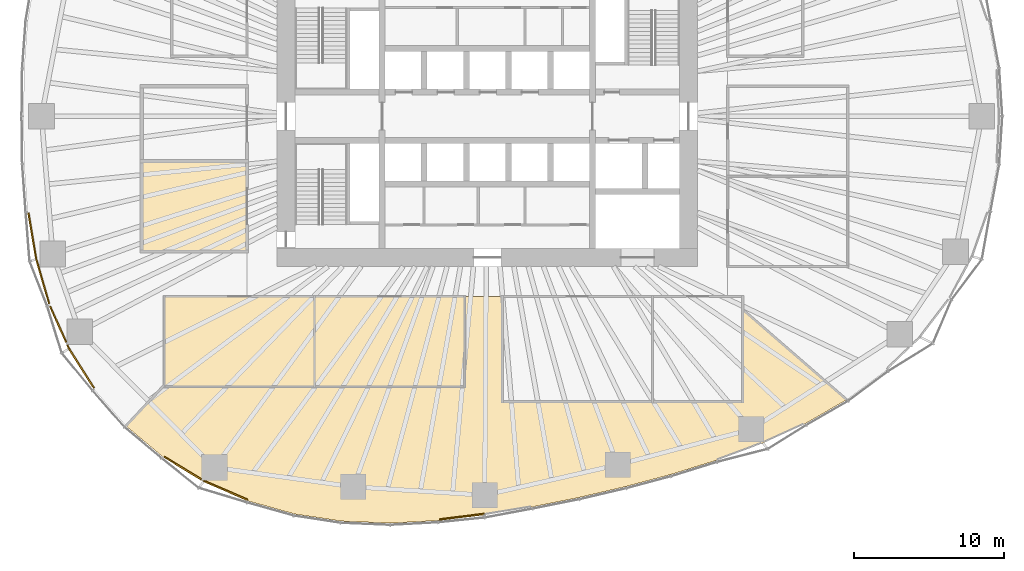
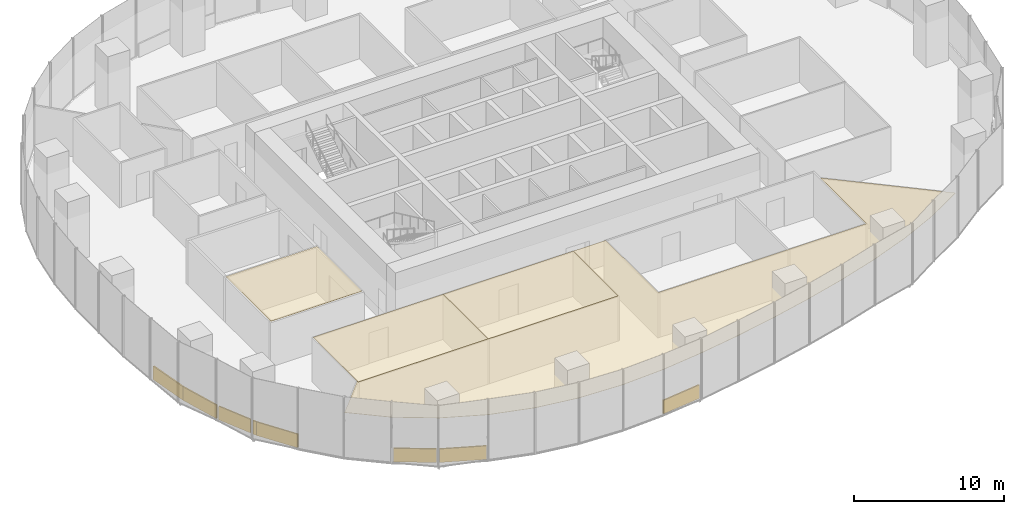
# One storey, part 17 of 20: 12 coverings.
"""IFC4 building model written with IfcOpenShell, lengths in metres."""

from ifc_helpers import new_model, si_unit, direction, frame, origin, origin_2d, place, context, subcontext, project, spatial, polyline, rectangle, outline, extrude, material, layer, layer_set, type_object, element, save


model = new_model("IFC4")

# Units and contexts
model_context = context("Model", 3, precision=1e-05, world=origin(), true_north=direction((0.0, 1.0)))
body_context = subcontext(model_context, "Body", "Model", "MODEL_VIEW")
ifc_project = project(units=[si_unit("LENGTHUNIT", "METRE"), si_unit("AREAUNIT", "SQUARE_METRE"), si_unit("VOLUMEUNIT", "CUBIC_METRE"), si_unit("PLANEANGLEUNIT", "RADIAN"), si_unit("MASSUNIT", "GRAM", prefix="KILO")], contexts=[model_context])

# Site, building, storey
site_placement = place(None, origin())
site = spatial("IfcSite", under=ifc_project, at=site_placement, CompositionType="ELEMENT")
building_placement = place(site_placement, origin())
building = spatial("IfcBuilding", under=site, at=building_placement, Name="Ghaith Harvest Tower", CompositionType="ELEMENT")
storey_placement = place(building_placement, frame((0.0, 0.0, 85.0)))
storey = spatial("IfcBuildingStorey", under=building, at=storey_placement, Name="L17", CompositionType="ELEMENT", Elevation=85.0)

# Coverings
ifc_material_1 = material(Name="Mineral fibre ceiling tile", Category="gypsum")
ifc_layer_1 = layer(ifc_material_1, 0.02490234375)
ifc_layer_set_1 = layer_set([ifc_layer_1], Name="CEILING C2")
covering_type_1 = type_object("IfcCoveringType", Name="CEILING C2", PredefinedType="CEILING", material=ifc_layer_set_1)
covering_1_placement = place(storey_placement, frame((0.0, 0.0, 3.60009765625)))
element("IfcCovering", 1, at=covering_1_placement, inside=storey, type_object=covering_type_1, Name="Ceiling L17-01", PredefinedType="CEILING", context=body_context, shape_type="SweptSolid", body=[
    extrude(outline(polyline([(-21.5, -18.0), (-11.5, -18.0), (-11.5, -12.0), (-21.5, -12.0), (-21.5, -18.0)])), origin(), (0.0, 0.0, 1.0), 0.02490234375),
])
covering_2_placement = place(storey_placement, frame((0.0, 0.0, 3.60009765625)))
element("IfcCovering", 2, at=covering_2_placement, inside=storey, type_object=covering_type_1, Name="Ceiling L17-02", PredefinedType="CEILING", context=body_context, shape_type="SweptSolid", body=[
    extrude(outline(polyline([(-11.5, -18.0), (-1.5, -18.0), (-1.5, -12.0), (-11.5, -12.0), (-11.5, -18.0)])), origin(), (0.0, 0.0, 1.0), 0.02490234375),
])
covering_3_placement = place(storey_placement, frame((0.0, 0.0, 3.60009765625)))
element("IfcCovering", 3, at=covering_3_placement, inside=storey, type_object=covering_type_1, Name="Ceiling L17-11", PredefinedType="CEILING", context=body_context, shape_type="SweptSolid", body=[
    extrude(outline(polyline([(-23.0, -9.0), (-16.0, -9.0), (-16.0, -3.0), (-23.0, -3.0), (-23.0, -9.0)])), origin(), (0.0, 0.0, 1.0), 0.02490234375),
])
covering_4_placement = place(storey_placement, frame((0.0, 0.0, 3.60009765625)))
element("IfcCovering", 4, at=covering_4_placement, inside=storey, type_object=covering_type_1, Name="Ceiling L17-S1", PredefinedType="CEILING", context=body_context, shape_type="SweptSolid", body=[
    extrude(outline(polyline([(-12.828125, -26.476806640625), (-15.907958984375, -25.614501953125), (-18.8935546875, -24.32763671875), (-21.59912109375, -22.671142578125), (-24.04833984375, -20.618408203125), (-21.5, -17.8896484375), (-21.5, -18.0), (-1.5, -18.0), (-1.5, -12.0), (1.0, -12.0), (1.0, -19.0), (17.0, -19.0), (17.0, -12.8671875), (23.92431640625, -18.873046875), (21.149169921875, -20.469482421875), (18.34521484375, -21.7548828125), (15.22119140625, -22.916259765625), (12.1796875, -23.857666015625), (9.21533203125, -24.65087890625), (6.10888671875, -25.378662109375), (2.99560546875, -26.004150390625), (-0.181396484375, -26.527099609375), (-3.24755859375, -26.91064453125), (-6.4375, -27.0849609375), (-9.733642578125, -26.949951171875), (-12.828125, -26.476806640625)])), origin(), (0.0, 0.0, 1.0), 0.02490234375),
])
ifc_material_2 = material(Name="Insulated aluminium spandrel panel on steel framing", Category="steel")
ifc_layer_2 = layer(ifc_material_2, 0.10009765625)
ifc_layer_set_2 = layer_set([ifc_layer_2], Name="SLAB EDGE UPSTAND 1100x100")
covering_type_2 = type_object("IfcCoveringType", Name="SLAB EDGE UPSTAND 1100x100", PredefinedType="CLADDING", material=ifc_layer_set_2)
covering_5_placement = place(storey_placement, frame((-30.28271484375, -7.982177734375, 0.0), z_axis=(0.0, 0.0, 1.0), x_axis=(0.165246181786, -0.986252350773, 0.0)))
element("IfcCovering", 5, at=covering_5_placement, inside=storey, type_object=covering_type_2, Name="Slab edge upstand 3 bay 11 L17", PredefinedType="CLADDING", context=body_context, shape_type="SweptSolid", body=[
    extrude(rectangle(XDim=3.124267578125, YDim=0.10009765625, at=origin_2d()), origin(), (0.0, 0.0, 1.0), 1.10009765625),
])
covering_6_placement = place(storey_placement, frame((-29.593994140625, -10.997314453125, 0.0), z_axis=(0.0, 0.0, 1.0), x_axis=(0.280032411303, -0.95999054611, 0.0)))
element("IfcCovering", 6, at=covering_6_placement, inside=storey, type_object=covering_type_2, Name="Slab edge upstand 1 bay 12 L17", PredefinedType="CLADDING", context=body_context, shape_type="SweptSolid", body=[
    extrude(rectangle(XDim=3.084228515625, YDim=0.10009765625, at=origin_2d()), origin(), (0.0, 0.0, 1.0), 1.10009765625),
])
covering_7_placement = place(storey_placement, frame((-28.56689453125, -13.84619140625, 0.0), z_axis=(0.0, 0.0, 1.0), x_axis=(0.407003427802, -0.913426630747, 0.0)))
element("IfcCovering", 7, at=covering_7_placement, inside=storey, type_object=covering_type_2, Name="Slab edge upstand 2 bay 12 L17", PredefinedType="CLADDING", context=body_context, shape_type="SweptSolid", body=[
    extrude(rectangle(XDim=2.60009765625, YDim=0.10009765625, at=origin_2d()), origin(), (0.0, 0.0, 1.0), 1.10009765625),
])
covering_8_placement = place(storey_placement, frame((-27.89501953125, -15.35400390625, 0.0), z_axis=(0.0, 0.0, 1.0), x_axis=(0.407003427802, -0.913426630747, 0.0)))
element("IfcCovering", 8, at=covering_8_placement, inside=storey, type_object=covering_type_2, Name="Slab edge upstand 2 bay 12 L17", PredefinedType="CLADDING", context=body_context, shape_type="SweptSolid", body=[
    extrude(rectangle(XDim=0.29052734375, YDim=0.10009765625, at=origin_2d()), origin(), (0.0, 0.0, 1.0), 1.10009765625),
])
covering_9_placement = place(storey_placement, frame((-27.0078125, -16.787353515625, 0.0), z_axis=(0.0, 0.0, 1.0), x_axis=(0.536807372204, -0.843704832952, 0.0)))
element("IfcCovering", 9, at=covering_9_placement, inside=storey, type_object=covering_type_2, Name="Slab edge upstand 3 bay 12 L17", PredefinedType="CLADDING", context=body_context, shape_type="SweptSolid", body=[
    extrude(rectangle(XDim=3.098388671875, YDim=0.10009765625, at=origin_2d()), origin(), (0.0, 0.0, 1.0), 1.10009765625),
])
covering_10_placement = place(storey_placement, frame((-20.265869140625, -23.4287109375, 0.0), z_axis=(0.0, 0.0, 1.0), x_axis=(0.852846651269, -0.522161459148, 0.0)))
element("IfcCovering", 10, at=covering_10_placement, inside=storey, type_object=covering_type_2, Name="Slab edge upstand 3 bay 13 L17", PredefinedType="CLADDING", context=body_context, shape_type="SweptSolid", body=[
    extrude(rectangle(XDim=2.864990234375, YDim=0.10009765625, at=origin_2d()), origin(), (0.0, 0.0, 1.0), 1.10009765625),
])
covering_11_placement = place(storey_placement, frame((-17.421875, -24.907470703125, 0.0), z_axis=(0.0, 0.0, 1.0), x_axis=(0.918306928324, -0.395869151856, 0.0)))
element("IfcCovering", 11, at=covering_11_placement, inside=storey, type_object=covering_type_2, Name="Slab edge upstand 1 bay 14 L17", PredefinedType="CLADDING", context=body_context, shape_type="SweptSolid", body=[
    extrude(rectangle(XDim=3.140380859375, YDim=0.10009765625, at=origin_2d()), origin(), (0.0, 0.0, 1.0), 1.10009765625),
])
covering_12_placement = place(storey_placement, frame((-1.671142578125, -26.6630859375, 0.0), z_axis=(0.0, 0.0, 1.0), x_axis=(0.992264868881, 0.124138752952, 0.0)))
element("IfcCovering", 12, at=covering_12_placement, inside=storey, type_object=covering_type_2, Name="Slab edge upstand 3 bay 15 L17", PredefinedType="CLADDING", context=body_context, shape_type="SweptSolid", body=[
    extrude(rectangle(XDim=2.98974609375, YDim=0.10009765625, at=origin_2d()), origin(), (0.0, 0.0, 1.0), 1.10009765625),
])

save(model, "model.ifc")
